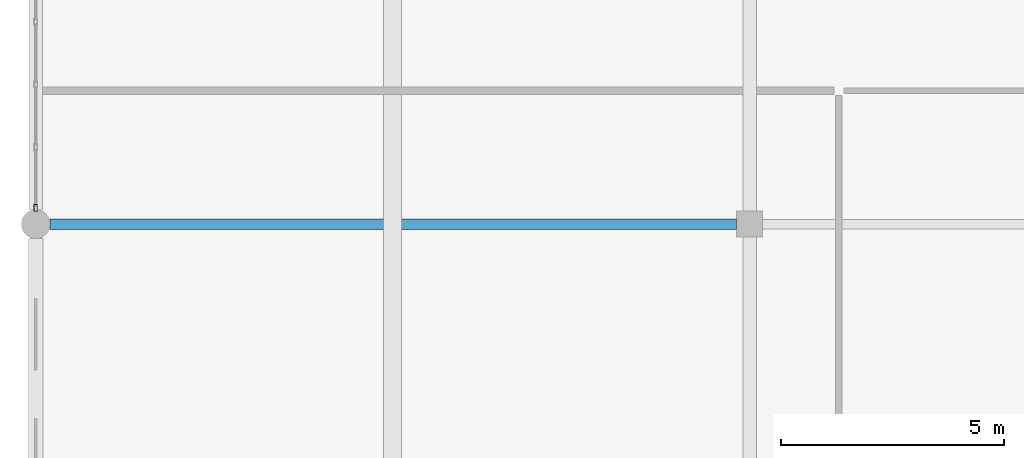
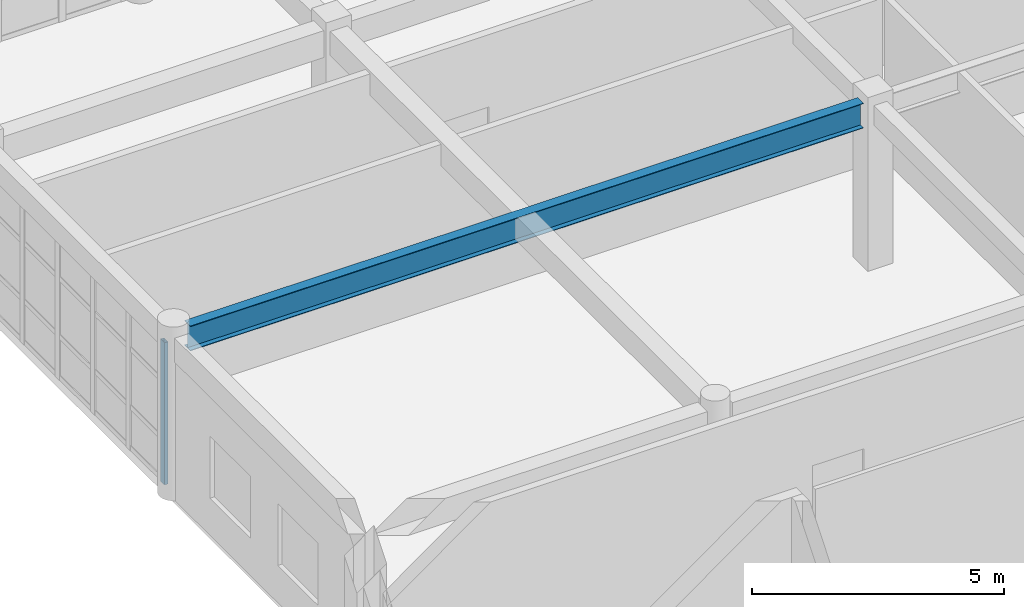
# One storey, part 11 of 121: 1 beam, 1 member, 1 element without a shape of its own.
"""IFC4 building model written with IfcOpenShell, lengths in metres."""

from ifc_helpers import new_model, si_unit, direction, frame, origin, origin_2d, place, context, subcontext, project, spatial, hollow_rectangle, i_section, extrude, material, material_profile, profile_set, type_object, element, aggregate, save


model = new_model("IFC4")

# Units and contexts
model_context = context("Model", 3, precision=1e-05, world=origin(), true_north=direction((0.0, 1.0)))
body_context = subcontext(model_context, "Body", "Model", "MODEL_VIEW")
ifc_project = project(units=[si_unit("LENGTHUNIT", "METRE"), si_unit("AREAUNIT", "SQUARE_METRE"), si_unit("VOLUMEUNIT", "CUBIC_METRE"), si_unit("PLANEANGLEUNIT", "RADIAN"), si_unit("MASSUNIT", "GRAM", prefix="KILO")], contexts=[model_context])

# Site, building, storey
site_placement = place(None, origin())
site = spatial("IfcSite", under=ifc_project, at=site_placement, CompositionType="ELEMENT")
building_placement = place(site_placement, origin())
building = spatial("IfcBuilding", under=site, at=building_placement, Name="Kharva Crest Polytechnic", CompositionType="ELEMENT")
storey_placement = place(building_placement, frame((0.0, 0.0, 13.199951171875)))
storey = spatial("IfcBuildingStorey", under=building, at=storey_placement, Name="L03", CompositionType="ELEMENT", Elevation=13.199951171875)

# Beam
ifc_material_1 = material(Name="Steel S355", Category="steel")
ifc_material_profile_1 = material_profile(ifc_material_1, i_section(OverallWidth=0.22802734375, OverallDepth=0.60302734375, WebThickness=0.010498046875, FlangeThickness=0.014892578125, at=origin_2d()), Name="W610X101")
ifc_profile_set_1 = profile_set([ifc_material_profile_1], Name="Steel S355")
beam_type = type_object("IfcBeamType", Name="BM-STL-W610X101", PredefinedType="BEAM", material=ifc_profile_set_1)
beam_placement = place(storey_placement, frame((0.320068359375, 15.199951171875, 3.658447265625), z_axis=(1.0, 0.0, 0.0), x_axis=(0.0, 1.0, 0.0)))
element("IfcBeam", 1, at=beam_placement, inside=storey, type_object=beam_type, Name="L03 Beam C/1-3", PredefinedType="BEAM", context=body_context, shape_type="SweptSolid", body=[
    extrude(i_section(OverallWidth=0.22802734375, OverallDepth=0.60302734375, WebThickness=0.010498046875, FlangeThickness=0.014892578125, at=origin_2d()), origin(), (0.0, 0.0, 1.0), 15.389892578125),
])

# Curtain wall, member
ifc_material_2 = material(Name="Tempered insulated glass", Category="glass")
curtain_wall_type = type_object("IfcCurtainWallType", Name="CW-SYS-COURT", PredefinedType="USERDEFINED", material=ifc_material_2)
curtain_wall_placement = place(storey_placement, origin())
curtain_wall = element("IfcCurtainWall", 2, at=curtain_wall_placement, inside=storey, type_object=curtain_wall_type, Name="L03 Glazed Curtain Wall CW-133", ObjectType="CURTAIN WALL", PredefinedType="USERDEFINED")
ifc_material_profile_2 = material_profile(ifc_material_1, hollow_rectangle(XDim=0.080078125, YDim=0.159912109375, WallThickness=0.0048828125, at=origin_2d()), Name="RHS 160X80X5.0")
ifc_profile_set_2 = profile_set([ifc_material_profile_2], Name="Steel S355")
member_type = type_object("IfcMemberType", Name="CWM-RHS160X80", PredefinedType="MULLION", material=ifc_profile_set_2)
member_placement = place(storey_placement, frame((0.0, 15.56494140625, 0.0), z_axis=(0.0, 0.0, 1.0), x_axis=(1.0, 0.0, 0.0)))
member = element("IfcMember", 3, at=member_placement, type_object=member_type, Name="CW-133 mullion 6", PredefinedType="MULLION", context=body_context, shape_type="SweptSolid", body=[
    extrude(hollow_rectangle(XDim=0.080078125, YDim=0.159912109375, WallThickness=0.0048828125, at=origin_2d()), origin(), (0.0, 0.0, 1.0), 3.43994140625),
])
aggregate(curtain_wall, [member])

save(model, "model.ifc")
